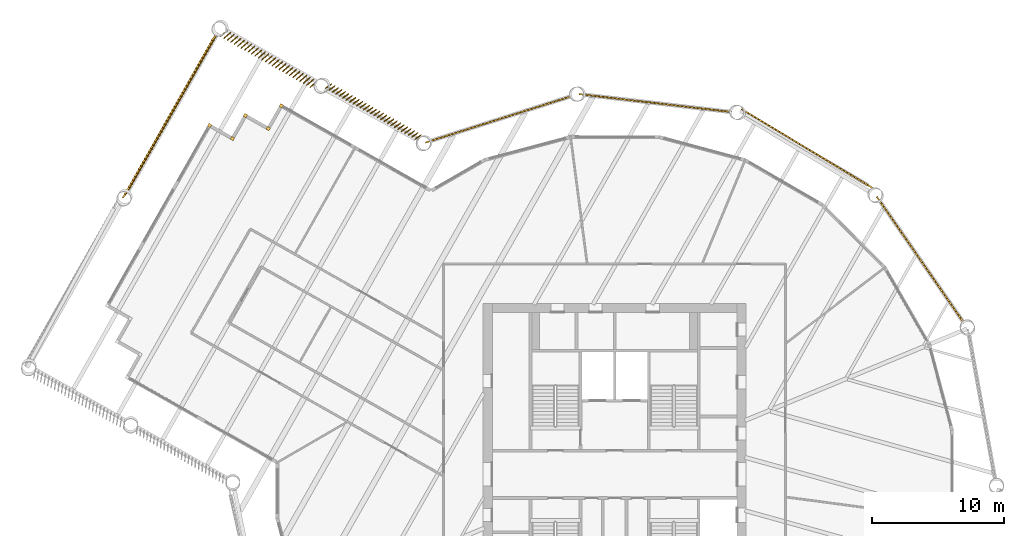
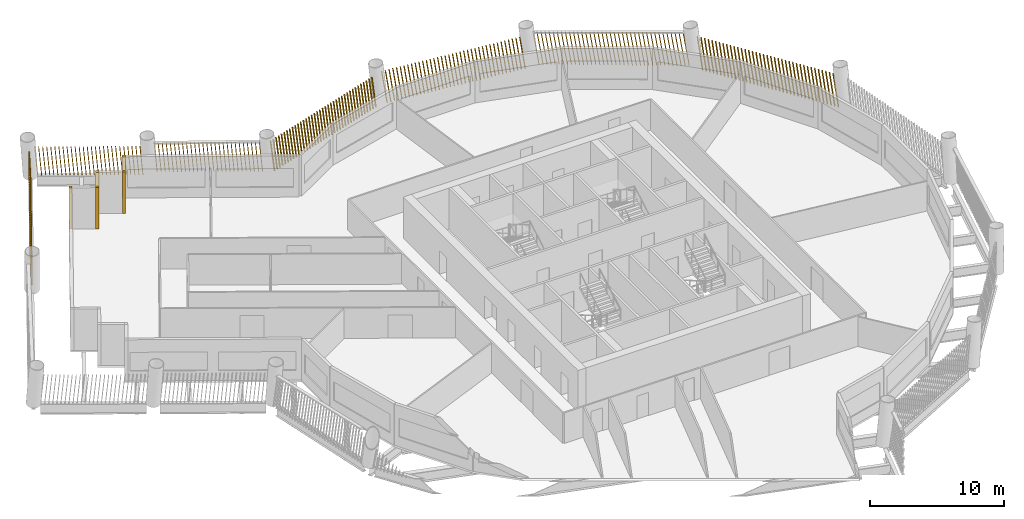
# One storey, part 14 of 15: 12 shading devices.
"""IFC4 building model written with IfcOpenShell, lengths in metres."""

from ifc_helpers import new_model, si_unit, direction, frame, frame_2d, origin, origin_2d, place, context, subcontext, project, spatial, rectangle, composite_profile, extrude, material, type_object, element, save


model = new_model("IFC4")

# Units and contexts
model_context = context("Model", 3, precision=1e-05, world=origin(), true_north=direction((0.0, 1.0)))
body_context = subcontext(model_context, "Body", "Model", "MODEL_VIEW")
ifc_project = project(units=[si_unit("LENGTHUNIT", "METRE"), si_unit("AREAUNIT", "SQUARE_METRE"), si_unit("VOLUMEUNIT", "CUBIC_METRE"), si_unit("PLANEANGLEUNIT", "RADIAN"), si_unit("MASSUNIT", "GRAM", prefix="KILO")], contexts=[model_context])

# Site, building, storey
site_placement = place(None, origin())
site = spatial("IfcSite", under=ifc_project, at=site_placement, CompositionType="ELEMENT")
building_placement = place(site_placement, origin())
building = spatial("IfcBuilding", under=site, at=building_placement, Name="Tarsis Ring Headquarters", CompositionType="ELEMENT")
storey_placement = place(building_placement, frame((0.0, 0.0, 159.300048828125)))
storey = spatial("IfcBuildingStorey", under=building, at=storey_placement, Name="L36", CompositionType="ELEMENT", Elevation=159.300048828125)

# Shading devices
ifc_material = material(Name="Terracotta baguette", Category="masonry")
shading_device_type_1 = type_object("IfcShadingDeviceType", Name="Terracotta baguette screen", PredefinedType="USERDEFINED", material=ifc_material)
shading_device_1_placement = place(storey_placement, frame((26.56494140625, 11.499755859375, 0.0), z_axis=(0.0, 0.0, 1.0), x_axis=(-0.568008681498, 0.823027672273, 0.0)))
element("IfcShadingDevice", 1, at=shading_device_1_placement, inside=storey, type_object=shading_device_type_1, Name="Baguette screen L36-11", ObjectType="Terracotta baguette screen", PredefinedType="USERDEFINED", context=body_context, shape_type="SweptSolid", body=[
    extrude(composite_profile([rectangle(XDim=0.06005859375, YDim=0.1201171875, at=frame_2d((0.030029296875, 0.0))), rectangle(XDim=0.06005859375, YDim=0.1201171875, at=frame_2d((0.33251953125, 0.0))), rectangle(XDim=0.06005859375, YDim=0.1201171875, at=frame_2d((0.634765625, 0.0))), rectangle(XDim=0.06005859375, YDim=0.1201171875, at=frame_2d((0.937255859375, 0.0))), rectangle(XDim=0.06005859375, YDim=0.1201171875, at=frame_2d((1.239501953125, 0.0))), rectangle(XDim=0.06005859375, YDim=0.1201171875, at=frame_2d((1.5419921875, 0.0))), rectangle(XDim=0.06005859375, YDim=0.1201171875, at=frame_2d((1.844482421875, 0.0))), rectangle(XDim=0.06005859375, YDim=0.1201171875, at=frame_2d((2.146728515625, 0.0))), rectangle(XDim=0.06005859375, YDim=0.1201171875, at=frame_2d((2.44921875, 0.0))), rectangle(XDim=0.06005859375, YDim=0.1201171875, at=frame_2d((2.751708984375, 0.0))), rectangle(XDim=0.06005859375, YDim=0.1201171875, at=frame_2d((3.053955078125, 0.0))), rectangle(XDim=0.06005859375, YDim=0.1201171875, at=frame_2d((3.3564453125, 0.0))), rectangle(XDim=0.06005859375, YDim=0.1201171875, at=frame_2d((3.65869140625, 0.0))), rectangle(XDim=0.06005859375, YDim=0.1201171875, at=frame_2d((3.961181640625, 0.0))), rectangle(XDim=0.06005859375, YDim=0.1201171875, at=frame_2d((4.263671875, 0.0))), rectangle(XDim=0.06005859375, YDim=0.1201171875, at=frame_2d((4.56591796875, 0.0))), rectangle(XDim=0.06005859375, YDim=0.1201171875, at=frame_2d((4.868408203125, 0.0))), rectangle(XDim=0.06005859375, YDim=0.1201171875, at=frame_2d((5.1708984375, 0.0))), rectangle(XDim=0.06005859375, YDim=0.1201171875, at=frame_2d((5.47314453125, 0.0))), rectangle(XDim=0.06005859375, YDim=0.1201171875, at=frame_2d((5.775634765625, 0.0))), rectangle(XDim=0.06005859375, YDim=0.1201171875, at=frame_2d((6.077880859375, 0.0))), rectangle(XDim=0.06005859375, YDim=0.1201171875, at=frame_2d((6.38037109375, 0.0))), rectangle(XDim=0.06005859375, YDim=0.1201171875, at=frame_2d((6.682861328125, 0.0))), rectangle(XDim=0.06005859375, YDim=0.1201171875, at=frame_2d((6.985107421875, 0.0))), rectangle(XDim=0.06005859375, YDim=0.1201171875, at=frame_2d((7.28759765625, 0.0))), rectangle(XDim=0.06005859375, YDim=0.1201171875, at=frame_2d((7.590087890625, 0.0))), rectangle(XDim=0.06005859375, YDim=0.1201171875, at=frame_2d((7.892333984375, 0.0))), rectangle(XDim=0.06005859375, YDim=0.1201171875, at=frame_2d((8.19482421875, 0.0))), rectangle(XDim=0.06005859375, YDim=0.1201171875, at=frame_2d((8.4970703125, 0.0))), rectangle(XDim=0.06005859375, YDim=0.1201171875, at=frame_2d((8.799560546875, 0.0))), rectangle(XDim=0.06005859375, YDim=0.1201171875, at=frame_2d((9.10205078125, 0.0))), rectangle(XDim=0.06005859375, YDim=0.1201171875, at=frame_2d((9.404296875, 0.0))), rectangle(XDim=0.06005859375, YDim=0.1201171875, at=frame_2d((9.706787109375, 0.0))), rectangle(XDim=0.06005859375, YDim=0.1201171875, at=frame_2d((10.00927734375, 0.0))), rectangle(XDim=0.06005859375, YDim=0.1201171875, at=frame_2d((10.3115234375, 0.0))), rectangle(XDim=0.06005859375, YDim=0.1201171875, at=frame_2d((10.614013671875, 0.0))), rectangle(XDim=0.06005859375, YDim=0.1201171875, at=frame_2d((10.916259765625, 0.0))), rectangle(XDim=0.06005859375, YDim=0.1201171875, at=frame_2d((11.21875, 0.0)))]), origin(), (0.149496492336, 0.001174091914, 0.988761558864), 2.9833984375),
])
shading_device_2_placement = place(storey_placement, frame((19.656494140625, 21.74853515625, 0.0), z_axis=(0.0, 0.0, 1.0), x_axis=(-0.856755290288, 0.515724362453, 0.0)))
element("IfcShadingDevice", 2, at=shading_device_2_placement, inside=storey, type_object=shading_device_type_1, Name="Baguette screen L36-12", ObjectType="Terracotta baguette screen", PredefinedType="USERDEFINED", context=body_context, shape_type="SweptSolid", body=[
    extrude(composite_profile([rectangle(XDim=0.06005859375, YDim=0.1201171875, at=frame_2d((0.030029296875, 0.0))), rectangle(XDim=0.06005859375, YDim=0.1201171875, at=frame_2d((0.33251953125, 0.0))), rectangle(XDim=0.06005859375, YDim=0.1201171875, at=frame_2d((0.634765625, 0.0))), rectangle(XDim=0.06005859375, YDim=0.1201171875, at=frame_2d((0.937255859375, 0.0))), rectangle(XDim=0.06005859375, YDim=0.1201171875, at=frame_2d((1.239501953125, 0.0))), rectangle(XDim=0.06005859375, YDim=0.1201171875, at=frame_2d((1.5419921875, 0.0))), rectangle(XDim=0.06005859375, YDim=0.1201171875, at=frame_2d((1.844482421875, 0.0))), rectangle(XDim=0.06005859375, YDim=0.1201171875, at=frame_2d((2.146728515625, 0.0))), rectangle(XDim=0.06005859375, YDim=0.1201171875, at=frame_2d((2.44921875, 0.0))), rectangle(XDim=0.06005859375, YDim=0.1201171875, at=frame_2d((2.751708984375, 0.0))), rectangle(XDim=0.06005859375, YDim=0.1201171875, at=frame_2d((3.053955078125, 0.0))), rectangle(XDim=0.06005859375, YDim=0.1201171875, at=frame_2d((3.3564453125, 0.0))), rectangle(XDim=0.06005859375, YDim=0.1201171875, at=frame_2d((3.65869140625, 0.0))), rectangle(XDim=0.06005859375, YDim=0.1201171875, at=frame_2d((3.961181640625, 0.0))), rectangle(XDim=0.06005859375, YDim=0.1201171875, at=frame_2d((4.263671875, 0.0))), rectangle(XDim=0.06005859375, YDim=0.1201171875, at=frame_2d((4.56591796875, 0.0))), rectangle(XDim=0.06005859375, YDim=0.1201171875, at=frame_2d((4.868408203125, 0.0))), rectangle(XDim=0.06005859375, YDim=0.1201171875, at=frame_2d((5.1708984375, 0.0))), rectangle(XDim=0.06005859375, YDim=0.1201171875, at=frame_2d((5.47314453125, 0.0))), rectangle(XDim=0.06005859375, YDim=0.1201171875, at=frame_2d((5.775634765625, 0.0))), rectangle(XDim=0.06005859375, YDim=0.1201171875, at=frame_2d((6.077880859375, 0.0))), rectangle(XDim=0.06005859375, YDim=0.1201171875, at=frame_2d((6.38037109375, 0.0))), rectangle(XDim=0.06005859375, YDim=0.1201171875, at=frame_2d((6.682861328125, 0.0))), rectangle(XDim=0.06005859375, YDim=0.1201171875, at=frame_2d((6.985107421875, 0.0))), rectangle(XDim=0.06005859375, YDim=0.1201171875, at=frame_2d((7.28759765625, 0.0))), rectangle(XDim=0.06005859375, YDim=0.1201171875, at=frame_2d((7.590087890625, 0.0))), rectangle(XDim=0.06005859375, YDim=0.1201171875, at=frame_2d((7.892333984375, 0.0))), rectangle(XDim=0.06005859375, YDim=0.1201171875, at=frame_2d((8.19482421875, 0.0))), rectangle(XDim=0.06005859375, YDim=0.1201171875, at=frame_2d((8.4970703125, 0.0))), rectangle(XDim=0.06005859375, YDim=0.1201171875, at=frame_2d((8.799560546875, 0.0))), rectangle(XDim=0.06005859375, YDim=0.1201171875, at=frame_2d((9.10205078125, 0.0))), rectangle(XDim=0.06005859375, YDim=0.1201171875, at=frame_2d((9.404296875, 0.0))), rectangle(XDim=0.06005859375, YDim=0.1201171875, at=frame_2d((9.706787109375, 0.0))), rectangle(XDim=0.06005859375, YDim=0.1201171875, at=frame_2d((10.00927734375, 0.0))), rectangle(XDim=0.06005859375, YDim=0.1201171875, at=frame_2d((10.3115234375, 0.0))), rectangle(XDim=0.06005859375, YDim=0.1201171875, at=frame_2d((10.614013671875, 0.0))), rectangle(XDim=0.06005859375, YDim=0.1201171875, at=frame_2d((10.916259765625, 0.0))), rectangle(XDim=0.06005859375, YDim=0.1201171875, at=frame_2d((11.21875, 0.0)))]), origin(), (0.15142547278, 0.001188283648, 0.988467963151), 2.984375),
])
shading_device_3_placement = place(storey_placement, frame((8.900634765625, 27.544921875, 0.0), z_axis=(0.0, 0.0, 1.0), x_axis=(-0.993163320673, 0.116722734672, 0.0)))
element("IfcShadingDevice", 3, at=shading_device_3_placement, inside=storey, type_object=shading_device_type_1, Name="Baguette screen L36-13", ObjectType="Terracotta baguette screen", PredefinedType="USERDEFINED", context=body_context, shape_type="SweptSolid", body=[
    extrude(composite_profile([rectangle(XDim=0.06005859375, YDim=0.1201171875, at=frame_2d((0.030029296875, 0.0))), rectangle(XDim=0.06005859375, YDim=0.1201171875, at=frame_2d((0.33251953125, 0.0))), rectangle(XDim=0.06005859375, YDim=0.1201171875, at=frame_2d((0.634765625, 0.0))), rectangle(XDim=0.06005859375, YDim=0.1201171875, at=frame_2d((0.937255859375, 0.0))), rectangle(XDim=0.06005859375, YDim=0.1201171875, at=frame_2d((1.239501953125, 0.0))), rectangle(XDim=0.06005859375, YDim=0.1201171875, at=frame_2d((1.5419921875, 0.0))), rectangle(XDim=0.06005859375, YDim=0.1201171875, at=frame_2d((1.844482421875, 0.0))), rectangle(XDim=0.06005859375, YDim=0.1201171875, at=frame_2d((2.146728515625, 0.0))), rectangle(XDim=0.06005859375, YDim=0.1201171875, at=frame_2d((2.44921875, 0.0))), rectangle(XDim=0.06005859375, YDim=0.1201171875, at=frame_2d((2.751708984375, 0.0))), rectangle(XDim=0.06005859375, YDim=0.1201171875, at=frame_2d((3.053955078125, 0.0))), rectangle(XDim=0.06005859375, YDim=0.1201171875, at=frame_2d((3.3564453125, 0.0))), rectangle(XDim=0.06005859375, YDim=0.1201171875, at=frame_2d((3.65869140625, 0.0))), rectangle(XDim=0.06005859375, YDim=0.1201171875, at=frame_2d((3.961181640625, 0.0))), rectangle(XDim=0.06005859375, YDim=0.1201171875, at=frame_2d((4.263671875, 0.0))), rectangle(XDim=0.06005859375, YDim=0.1201171875, at=frame_2d((4.56591796875, 0.0))), rectangle(XDim=0.06005859375, YDim=0.1201171875, at=frame_2d((4.868408203125, 0.0))), rectangle(XDim=0.06005859375, YDim=0.1201171875, at=frame_2d((5.1708984375, 0.0))), rectangle(XDim=0.06005859375, YDim=0.1201171875, at=frame_2d((5.47314453125, 0.0))), rectangle(XDim=0.06005859375, YDim=0.1201171875, at=frame_2d((5.775634765625, 0.0))), rectangle(XDim=0.06005859375, YDim=0.1201171875, at=frame_2d((6.077880859375, 0.0))), rectangle(XDim=0.06005859375, YDim=0.1201171875, at=frame_2d((6.38037109375, 0.0))), rectangle(XDim=0.06005859375, YDim=0.1201171875, at=frame_2d((6.682861328125, 0.0))), rectangle(XDim=0.06005859375, YDim=0.1201171875, at=frame_2d((6.985107421875, 0.0))), rectangle(XDim=0.06005859375, YDim=0.1201171875, at=frame_2d((7.28759765625, 0.0))), rectangle(XDim=0.06005859375, YDim=0.1201171875, at=frame_2d((7.590087890625, 0.0))), rectangle(XDim=0.06005859375, YDim=0.1201171875, at=frame_2d((7.892333984375, 0.0))), rectangle(XDim=0.06005859375, YDim=0.1201171875, at=frame_2d((8.19482421875, 0.0))), rectangle(XDim=0.06005859375, YDim=0.1201171875, at=frame_2d((8.4970703125, 0.0))), rectangle(XDim=0.06005859375, YDim=0.1201171875, at=frame_2d((8.799560546875, 0.0))), rectangle(XDim=0.06005859375, YDim=0.1201171875, at=frame_2d((9.10205078125, 0.0))), rectangle(XDim=0.06005859375, YDim=0.1201171875, at=frame_2d((9.404296875, 0.0))), rectangle(XDim=0.06005859375, YDim=0.1201171875, at=frame_2d((9.706787109375, 0.0))), rectangle(XDim=0.06005859375, YDim=0.1201171875, at=frame_2d((10.00927734375, 0.0))), rectangle(XDim=0.06005859375, YDim=0.1201171875, at=frame_2d((10.3115234375, 0.0))), rectangle(XDim=0.06005859375, YDim=0.1201171875, at=frame_2d((10.614013671875, 0.0))), rectangle(XDim=0.06005859375, YDim=0.1201171875, at=frame_2d((10.916259765625, 0.0))), rectangle(XDim=0.06005859375, YDim=0.1201171875, at=frame_2d((11.21875, 0.0)))]), origin(), (0.149495567483, 0.001171905298, 0.988761701291), 2.9833984375),
])
shading_device_4_placement = place(storey_placement, frame((-3.244140625, 28.764892578125, 0.0), z_axis=(0.0, 0.0, 1.0), x_axis=(-0.952990710999, -0.303021095581, 0.0)))
element("IfcShadingDevice", 4, at=shading_device_4_placement, inside=storey, type_object=shading_device_type_1, Name="Baguette screen L36-14", ObjectType="Terracotta baguette screen", PredefinedType="USERDEFINED", context=body_context, shape_type="SweptSolid", body=[
    extrude(composite_profile([rectangle(XDim=0.06005859375, YDim=0.1201171875, at=frame_2d((0.030029296875, 0.0))), rectangle(XDim=0.06005859375, YDim=0.1201171875, at=frame_2d((0.33251953125, 0.0))), rectangle(XDim=0.06005859375, YDim=0.1201171875, at=frame_2d((0.634765625, 0.0))), rectangle(XDim=0.06005859375, YDim=0.1201171875, at=frame_2d((0.937255859375, 0.0))), rectangle(XDim=0.06005859375, YDim=0.1201171875, at=frame_2d((1.239501953125, 0.0))), rectangle(XDim=0.06005859375, YDim=0.1201171875, at=frame_2d((1.5419921875, 0.0))), rectangle(XDim=0.06005859375, YDim=0.1201171875, at=frame_2d((1.844482421875, 0.0))), rectangle(XDim=0.06005859375, YDim=0.1201171875, at=frame_2d((2.146728515625, 0.0))), rectangle(XDim=0.06005859375, YDim=0.1201171875, at=frame_2d((2.44921875, 0.0))), rectangle(XDim=0.06005859375, YDim=0.1201171875, at=frame_2d((2.751708984375, 0.0))), rectangle(XDim=0.06005859375, YDim=0.1201171875, at=frame_2d((3.053955078125, 0.0))), rectangle(XDim=0.06005859375, YDim=0.1201171875, at=frame_2d((3.3564453125, 0.0))), rectangle(XDim=0.06005859375, YDim=0.1201171875, at=frame_2d((3.65869140625, 0.0))), rectangle(XDim=0.06005859375, YDim=0.1201171875, at=frame_2d((3.961181640625, 0.0))), rectangle(XDim=0.06005859375, YDim=0.1201171875, at=frame_2d((4.263671875, 0.0))), rectangle(XDim=0.06005859375, YDim=0.1201171875, at=frame_2d((4.56591796875, 0.0))), rectangle(XDim=0.06005859375, YDim=0.1201171875, at=frame_2d((4.868408203125, 0.0))), rectangle(XDim=0.06005859375, YDim=0.1201171875, at=frame_2d((5.1708984375, 0.0))), rectangle(XDim=0.06005859375, YDim=0.1201171875, at=frame_2d((5.47314453125, 0.0))), rectangle(XDim=0.06005859375, YDim=0.1201171875, at=frame_2d((5.775634765625, 0.0))), rectangle(XDim=0.06005859375, YDim=0.1201171875, at=frame_2d((6.077880859375, 0.0))), rectangle(XDim=0.06005859375, YDim=0.1201171875, at=frame_2d((6.38037109375, 0.0))), rectangle(XDim=0.06005859375, YDim=0.1201171875, at=frame_2d((6.682861328125, 0.0))), rectangle(XDim=0.06005859375, YDim=0.1201171875, at=frame_2d((6.985107421875, 0.0))), rectangle(XDim=0.06005859375, YDim=0.1201171875, at=frame_2d((7.28759765625, 0.0))), rectangle(XDim=0.06005859375, YDim=0.1201171875, at=frame_2d((7.590087890625, 0.0))), rectangle(XDim=0.06005859375, YDim=0.1201171875, at=frame_2d((7.892333984375, 0.0))), rectangle(XDim=0.06005859375, YDim=0.1201171875, at=frame_2d((8.19482421875, 0.0))), rectangle(XDim=0.06005859375, YDim=0.1201171875, at=frame_2d((8.4970703125, 0.0))), rectangle(XDim=0.06005859375, YDim=0.1201171875, at=frame_2d((8.799560546875, 0.0))), rectangle(XDim=0.06005859375, YDim=0.1201171875, at=frame_2d((9.10205078125, 0.0))), rectangle(XDim=0.06005859375, YDim=0.1201171875, at=frame_2d((9.404296875, 0.0))), rectangle(XDim=0.06005859375, YDim=0.1201171875, at=frame_2d((9.706787109375, 0.0))), rectangle(XDim=0.06005859375, YDim=0.1201171875, at=frame_2d((10.00927734375, 0.0))), rectangle(XDim=0.06005859375, YDim=0.1201171875, at=frame_2d((10.3115234375, 0.0))), rectangle(XDim=0.06005859375, YDim=0.1201171875, at=frame_2d((10.614013671875, 0.0))), rectangle(XDim=0.06005859375, YDim=0.1201171875, at=frame_2d((10.916259765625, 0.0))), rectangle(XDim=0.06005859375, YDim=0.1201171875, at=frame_2d((11.21875, 0.0)))]), origin(), (0.149496668323, 0.001173385191, 0.988761533095), 2.9833984375),
])
shading_device_5_placement = place(storey_placement, frame((-14.690673828125, 25.777587890625, 0.0), z_axis=(0.0, 0.0, 1.0), x_axis=(-0.869840583292, 0.493326742462, 0.0)))
element("IfcShadingDevice", 5, at=shading_device_5_placement, inside=storey, type_object=shading_device_type_1, Name="Baguette screen L36-15", ObjectType="Terracotta baguette screen", PredefinedType="USERDEFINED", context=body_context, shape_type="SweptSolid", body=[
    extrude(composite_profile([rectangle(XDim=0.06005859375, YDim=0.1201171875, at=frame_2d((0.030029296875, 0.0))), rectangle(XDim=0.06005859375, YDim=0.1201171875, at=frame_2d((0.33154296875, 0.0))), rectangle(XDim=0.06005859375, YDim=0.1201171875, at=frame_2d((0.63330078125, 0.0))), rectangle(XDim=0.06005859375, YDim=0.1201171875, at=frame_2d((0.934814453125, 0.0))), rectangle(XDim=0.06005859375, YDim=0.1201171875, at=frame_2d((1.236572265625, 0.0))), rectangle(XDim=0.06005859375, YDim=0.1201171875, at=frame_2d((1.5380859375, 0.0))), rectangle(XDim=0.06005859375, YDim=0.1201171875, at=frame_2d((1.83984375, 0.0))), rectangle(XDim=0.06005859375, YDim=0.1201171875, at=frame_2d((2.141357421875, 0.0))), rectangle(XDim=0.06005859375, YDim=0.1201171875, at=frame_2d((2.443115234375, 0.0))), rectangle(XDim=0.06005859375, YDim=0.1201171875, at=frame_2d((2.74462890625, 0.0))), rectangle(XDim=0.06005859375, YDim=0.1201171875, at=frame_2d((3.04638671875, 0.0))), rectangle(XDim=0.06005859375, YDim=0.1201171875, at=frame_2d((3.347900390625, 0.0))), rectangle(XDim=0.06005859375, YDim=0.1201171875, at=frame_2d((3.649658203125, 0.0))), rectangle(XDim=0.06005859375, YDim=0.1201171875, at=frame_2d((3.951171875, 0.0))), rectangle(XDim=0.06005859375, YDim=0.1201171875, at=frame_2d((4.252685546875, 0.0))), rectangle(XDim=0.06005859375, YDim=0.1201171875, at=frame_2d((4.554443359375, 0.0))), rectangle(XDim=0.06005859375, YDim=0.1201171875, at=frame_2d((4.85595703125, 0.0))), rectangle(XDim=0.06005859375, YDim=0.1201171875, at=frame_2d((5.15771484375, 0.0))), rectangle(XDim=0.06005859375, YDim=0.1201171875, at=frame_2d((5.459228515625, 0.0))), rectangle(XDim=0.06005859375, YDim=0.1201171875, at=frame_2d((5.760986328125, 0.0))), rectangle(XDim=0.06005859375, YDim=0.1201171875, at=frame_2d((6.0625, 0.0))), rectangle(XDim=0.06005859375, YDim=0.1201171875, at=frame_2d((6.3642578125, 0.0))), rectangle(XDim=0.06005859375, YDim=0.1201171875, at=frame_2d((6.665771484375, 0.0))), rectangle(XDim=0.06005859375, YDim=0.1201171875, at=frame_2d((6.967529296875, 0.0))), rectangle(XDim=0.06005859375, YDim=0.1201171875, at=frame_2d((7.26904296875, 0.0))), rectangle(XDim=0.06005859375, YDim=0.1201171875, at=frame_2d((7.57080078125, 0.0))), rectangle(XDim=0.06005859375, YDim=0.1201171875, at=frame_2d((7.872314453125, 0.0)))]), origin(), (0.078360485255, 0.155031797698, 0.984796819681), 2.99560546875),
])
shading_device_6_placement = place(storey_placement, frame((-22.619140625, 29.84326171875, 0.0), z_axis=(0.0, 0.0, 1.0), x_axis=(-0.869840583292, 0.493326742462, 0.0)))
element("IfcShadingDevice", 6, at=shading_device_6_placement, inside=storey, type_object=shading_device_type_1, Name="Baguette screen L36-16", ObjectType="Terracotta baguette screen", PredefinedType="USERDEFINED", context=body_context, shape_type="SweptSolid", body=[
    extrude(composite_profile([rectangle(XDim=0.06005859375, YDim=0.1201171875, at=frame_2d((0.030029296875, 0.0))), rectangle(XDim=0.06005859375, YDim=0.1201171875, at=frame_2d((0.33154296875, 0.0))), rectangle(XDim=0.06005859375, YDim=0.1201171875, at=frame_2d((0.63330078125, 0.0))), rectangle(XDim=0.06005859375, YDim=0.1201171875, at=frame_2d((0.934814453125, 0.0))), rectangle(XDim=0.06005859375, YDim=0.1201171875, at=frame_2d((1.236572265625, 0.0))), rectangle(XDim=0.06005859375, YDim=0.1201171875, at=frame_2d((1.5380859375, 0.0))), rectangle(XDim=0.06005859375, YDim=0.1201171875, at=frame_2d((1.83984375, 0.0))), rectangle(XDim=0.06005859375, YDim=0.1201171875, at=frame_2d((2.141357421875, 0.0))), rectangle(XDim=0.06005859375, YDim=0.1201171875, at=frame_2d((2.443115234375, 0.0))), rectangle(XDim=0.06005859375, YDim=0.1201171875, at=frame_2d((2.74462890625, 0.0))), rectangle(XDim=0.06005859375, YDim=0.1201171875, at=frame_2d((3.04638671875, 0.0))), rectangle(XDim=0.06005859375, YDim=0.1201171875, at=frame_2d((3.347900390625, 0.0))), rectangle(XDim=0.06005859375, YDim=0.1201171875, at=frame_2d((3.649658203125, 0.0))), rectangle(XDim=0.06005859375, YDim=0.1201171875, at=frame_2d((3.951171875, 0.0))), rectangle(XDim=0.06005859375, YDim=0.1201171875, at=frame_2d((4.252685546875, 0.0))), rectangle(XDim=0.06005859375, YDim=0.1201171875, at=frame_2d((4.554443359375, 0.0))), rectangle(XDim=0.06005859375, YDim=0.1201171875, at=frame_2d((4.85595703125, 0.0))), rectangle(XDim=0.06005859375, YDim=0.1201171875, at=frame_2d((5.15771484375, 0.0))), rectangle(XDim=0.06005859375, YDim=0.1201171875, at=frame_2d((5.459228515625, 0.0))), rectangle(XDim=0.06005859375, YDim=0.1201171875, at=frame_2d((5.760986328125, 0.0))), rectangle(XDim=0.06005859375, YDim=0.1201171875, at=frame_2d((6.0625, 0.0))), rectangle(XDim=0.06005859375, YDim=0.1201171875, at=frame_2d((6.3642578125, 0.0))), rectangle(XDim=0.06005859375, YDim=0.1201171875, at=frame_2d((6.665771484375, 0.0))), rectangle(XDim=0.06005859375, YDim=0.1201171875, at=frame_2d((6.967529296875, 0.0))), rectangle(XDim=0.06005859375, YDim=0.1201171875, at=frame_2d((7.26904296875, 0.0))), rectangle(XDim=0.06005859375, YDim=0.1201171875, at=frame_2d((7.57080078125, 0.0))), rectangle(XDim=0.06005859375, YDim=0.1201171875, at=frame_2d((7.872314453125, 0.0)))]), origin(), (0.075416232637, 0.200074067467, 0.976873973132), 3.019775390625),
])
shading_device_7_placement = place(storey_placement, frame((-30.174560546875, 33.553466796875, 0.0), z_axis=(0.0, 0.0, 1.0), x_axis=(-0.493321539142, -0.869845201238, 0.0)))
element("IfcShadingDevice", 7, at=shading_device_7_placement, inside=storey, type_object=shading_device_type_1, Name="Baguette screen L36-17", ObjectType="Terracotta baguette screen", PredefinedType="USERDEFINED", context=body_context, shape_type="SweptSolid", body=[
    extrude(composite_profile([rectangle(XDim=0.06005859375, YDim=0.1201171875, at=frame_2d((0.030029296875, 0.0))), rectangle(XDim=0.06005859375, YDim=0.1201171875, at=frame_2d((0.33544921875, 0.0))), rectangle(XDim=0.06005859375, YDim=0.1201171875, at=frame_2d((0.640625, 0.0))), rectangle(XDim=0.06005859375, YDim=0.1201171875, at=frame_2d((0.946044921875, 0.0))), rectangle(XDim=0.06005859375, YDim=0.1201171875, at=frame_2d((1.25146484375, 0.0))), rectangle(XDim=0.06005859375, YDim=0.1201171875, at=frame_2d((1.556640625, 0.0))), rectangle(XDim=0.06005859375, YDim=0.1201171875, at=frame_2d((1.862060546875, 0.0))), rectangle(XDim=0.06005859375, YDim=0.1201171875, at=frame_2d((2.16748046875, 0.0))), rectangle(XDim=0.06005859375, YDim=0.1201171875, at=frame_2d((2.47265625, 0.0))), rectangle(XDim=0.06005859375, YDim=0.1201171875, at=frame_2d((2.778076171875, 0.0))), rectangle(XDim=0.06005859375, YDim=0.1201171875, at=frame_2d((3.08349609375, 0.0))), rectangle(XDim=0.06005859375, YDim=0.1201171875, at=frame_2d((3.388671875, 0.0))), rectangle(XDim=0.06005859375, YDim=0.1201171875, at=frame_2d((3.694091796875, 0.0))), rectangle(XDim=0.06005859375, YDim=0.1201171875, at=frame_2d((3.99951171875, 0.0))), rectangle(XDim=0.06005859375, YDim=0.1201171875, at=frame_2d((4.3046875, 0.0))), rectangle(XDim=0.06005859375, YDim=0.1201171875, at=frame_2d((4.610107421875, 0.0))), rectangle(XDim=0.06005859375, YDim=0.1201171875, at=frame_2d((4.91552734375, 0.0))), rectangle(XDim=0.06005859375, YDim=0.1201171875, at=frame_2d((5.220703125, 0.0))), rectangle(XDim=0.06005859375, YDim=0.1201171875, at=frame_2d((5.526123046875, 0.0))), rectangle(XDim=0.06005859375, YDim=0.1201171875, at=frame_2d((5.83154296875, 0.0))), rectangle(XDim=0.06005859375, YDim=0.1201171875, at=frame_2d((6.13671875, 0.0))), rectangle(XDim=0.06005859375, YDim=0.1201171875, at=frame_2d((6.442138671875, 0.0))), rectangle(XDim=0.06005859375, YDim=0.1201171875, at=frame_2d((6.74755859375, 0.0))), rectangle(XDim=0.06005859375, YDim=0.1201171875, at=frame_2d((7.052734375, 0.0))), rectangle(XDim=0.06005859375, YDim=0.1201171875, at=frame_2d((7.358154296875, 0.0))), rectangle(XDim=0.06005859375, YDim=0.1201171875, at=frame_2d((7.66357421875, 0.0))), rectangle(XDim=0.06005859375, YDim=0.1201171875, at=frame_2d((7.96875, 0.0))), rectangle(XDim=0.06005859375, YDim=0.1201171875, at=frame_2d((8.274169921875, 0.0))), rectangle(XDim=0.06005859375, YDim=0.1201171875, at=frame_2d((8.57958984375, 0.0))), rectangle(XDim=0.06005859375, YDim=0.1201171875, at=frame_2d((8.884765625, 0.0))), rectangle(XDim=0.06005859375, YDim=0.1201171875, at=frame_2d((9.190185546875, 0.0))), rectangle(XDim=0.06005859375, YDim=0.1201171875, at=frame_2d((9.49560546875, 0.0))), rectangle(XDim=0.06005859375, YDim=0.1201171875, at=frame_2d((9.80078125, 0.0))), rectangle(XDim=0.06005859375, YDim=0.1201171875, at=frame_2d((10.106201171875, 0.0))), rectangle(XDim=0.06005859375, YDim=0.1201171875, at=frame_2d((10.41162109375, 0.0))), rectangle(XDim=0.06005859375, YDim=0.1201171875, at=frame_2d((10.716796875, 0.0))), rectangle(XDim=0.06005859375, YDim=0.1201171875, at=frame_2d((11.022216796875, 0.0))), rectangle(XDim=0.06005859375, YDim=0.1201171875, at=frame_2d((11.32763671875, 0.0))), rectangle(XDim=0.06005859375, YDim=0.1201171875, at=frame_2d((11.6328125, 0.0))), rectangle(XDim=0.06005859375, YDim=0.1201171875, at=frame_2d((11.938232421875, 0.0))), rectangle(XDim=0.06005859375, YDim=0.1201171875, at=frame_2d((12.24365234375, 0.0))), rectangle(XDim=0.06005859375, YDim=0.1201171875, at=frame_2d((12.548828125, 0.0))), rectangle(XDim=0.06005859375, YDim=0.1201171875, at=frame_2d((12.854248046875, 0.0))), rectangle(XDim=0.06005859375, YDim=0.1201171875, at=frame_2d((13.15966796875, 0.0))), rectangle(XDim=0.06005859375, YDim=0.1201171875, at=frame_2d((13.46484375, 0.0))), rectangle(XDim=0.06005859375, YDim=0.1201171875, at=frame_2d((13.770263671875, 0.0)))]), origin(), (0.222332749853, -0.036647777735, 0.97428183229), 3.02783203125),
])
shading_device_type_2 = type_object("IfcShadingDeviceType", Name="Terracotta corner baguette 250x250", PredefinedType="USERDEFINED", material=ifc_material)
for number, where, z_axis, x_axis, name in (
    (8, (-25.34716796875, 28.02783203125, 0.0), (0.0, 0.0, 1.0), (-0.869839554062, 0.493334724289, 0.0), "Corner baguette L36-32"),
    (9, (-26.333740234375, 26.2880859375, 0.0), (0.0, 0.0, 1.0), (-0.493334952012, -0.869839424907, 0.0), "Corner baguette L36-33"),
    (10, (-28.073486328125, 27.274658203125, 0.0), (0.0, 0.0, 1.0), (-0.869839640165, 0.493334572473, 0.0), "Corner baguette L36-34"),
    (11, (-29.06005859375, 25.53515625, 0.0), (0.0, 0.0, 1.0), (-0.493334572473, -0.869839640165, 0.0), "Corner baguette L36-35"),
    (12, (-30.7998046875, 26.521728515625, 0.0), (0.0, 0.0, 1.0), (-0.869839640165, 0.493334572473, 0.0), "Corner baguette L36-36"),
):
    element("IfcShadingDevice", number, at=place(storey_placement, frame(where, z_axis=z_axis, x_axis=x_axis)), inside=storey, type_object=shading_device_type_2, Name=name, ObjectType="Terracotta corner baguette", PredefinedType="USERDEFINED", context=body_context, shape_type="SweptSolid", body=[
        extrude(rectangle(XDim=0.25, YDim=0.25, at=origin_2d()), origin(), (0.0, 0.0, 1.0), 3.739990234375),
    ])

save(model, "model.ifc")
